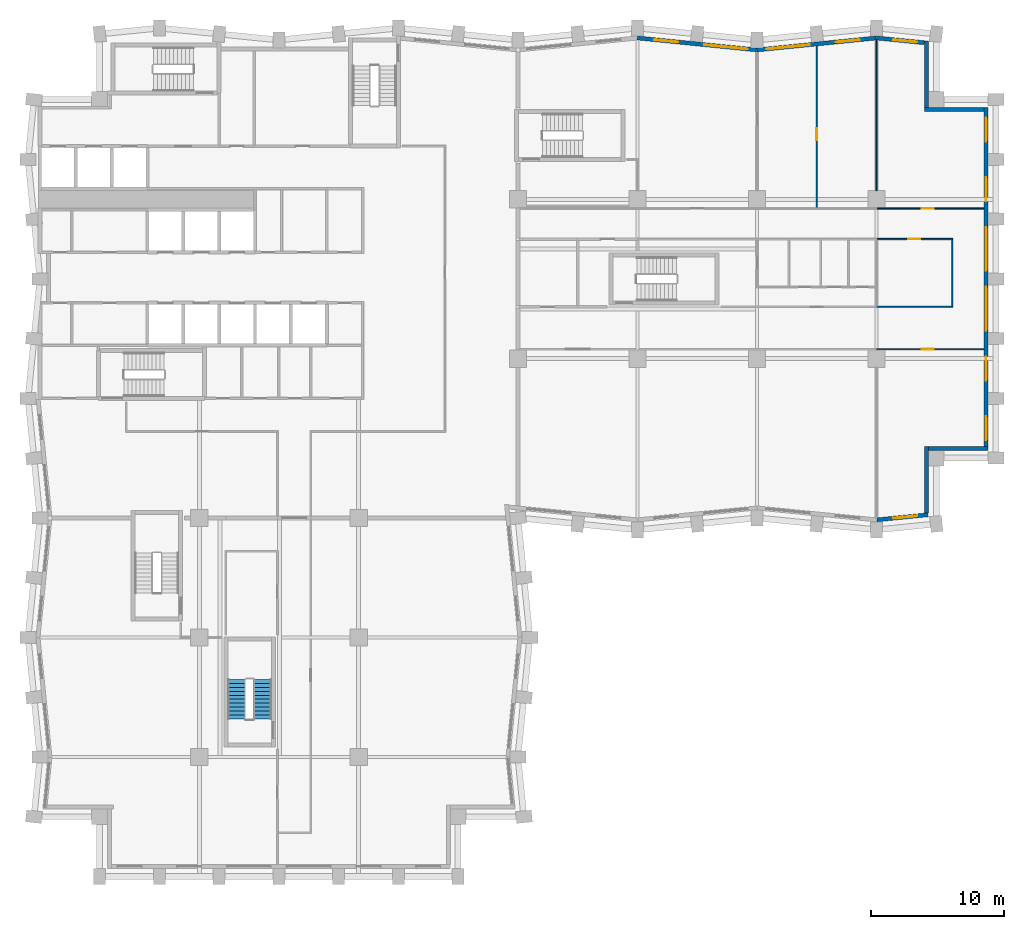
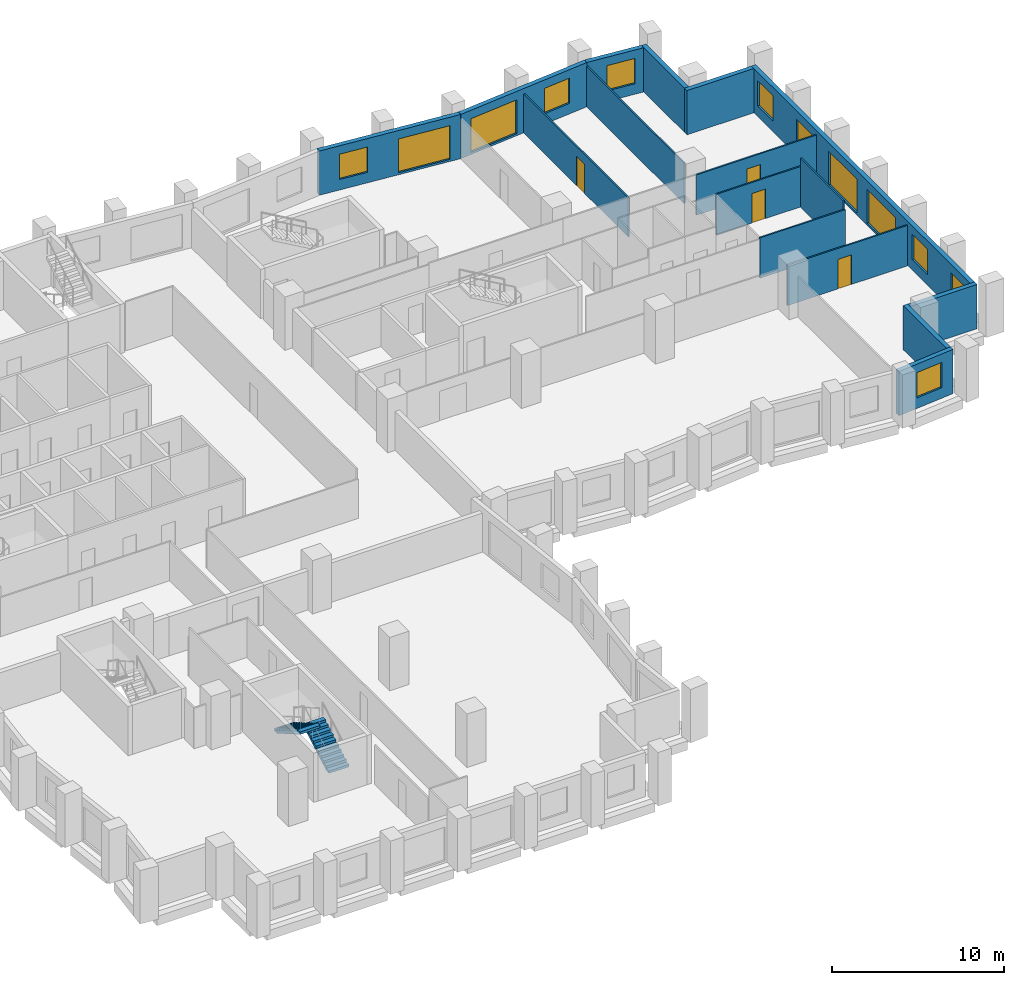
# One storey, part 8 of 11: 16 walls, 12 windows, 4 doors, 2 stair flights, 16 openings, 1 element without a shape of its own.
"""IFC4 building model written with IfcOpenShell, lengths in metres."""

from ifc_helpers import new_model, si_unit, direction, frame, frame_2d, origin, place, context, subcontext, project, spatial, polyline, rectangle, outline, extrude, material, layer, layer_set, type_object, element, fill, aggregate, save


model = new_model("IFC4")

# Units and contexts
model_context = context("Model", 3, precision=1e-05, world=origin(), true_north=direction((0.0, 1.0)))
body_context = subcontext(model_context, "Body", "Model", "MODEL_VIEW")
ifc_project = project(units=[si_unit("LENGTHUNIT", "METRE"), si_unit("AREAUNIT", "SQUARE_METRE"), si_unit("VOLUMEUNIT", "CUBIC_METRE"), si_unit("PLANEANGLEUNIT", "RADIAN"), si_unit("MASSUNIT", "GRAM", prefix="KILO")], contexts=[model_context])

# Site, building, storey
site_placement = place(None, origin())
site = spatial("IfcSite", under=ifc_project, at=site_placement, CompositionType="ELEMENT")
building_placement = place(site_placement, origin())
building = spatial("IfcBuilding", under=site, at=building_placement, Name="Brondeck Convention Tower", CompositionType="ELEMENT")
storey_placement = place(building_placement, frame((0.0, 0.0, 111.300048828125)))
storey = spatial("IfcBuildingStorey", under=building, at=storey_placement, Name="L26", CompositionType="ELEMENT", Elevation=111.300048828125)

# Wall, opening, window
ifc_material_1 = material(Name="Precast concrete C50/60 bronze finish", Category="concrete")
ifc_layer_1 = layer(ifc_material_1, 0.070068359375, Name="Bronze precast facing")
ifc_material_2 = material(Name="Mineral wool")
ifc_layer_2 = layer(ifc_material_2, 0.159912109375, Name="Insulation")
ifc_material_3 = material(Name="Concrete C35/45", Category="concrete")
ifc_layer_3 = layer(ifc_material_3, 0.070068359375, Name="Backing")
ifc_layer_set_1 = layer_set([ifc_layer_1, ifc_layer_2, ifc_layer_3], Name="External infill wall, precast concrete C50/60 bronze facing")
wall_type_1 = type_object("IfcWallType", Name="External infill wall, precast concrete C50/60 bronze facing", PredefinedType="SOLIDWALL", material=ifc_layer_set_1)
wall_1_placement = place(storey_placement, frame((66.885009765625, 27.2421875, 0.0), z_axis=(0.0, 0.0, 1.0), x_axis=(-0.995037814081, -0.099497480111, 0.0)))
wall_1 = element("IfcWall", 1, at=wall_1_placement, inside=storey, type_object=wall_type_1, Name="ENV-EW-L26-P0-A-S-06", PredefinedType="SOLIDWALL", context=body_context, shape_type="SweptSolid", body=[
    extrude(rectangle(XDim=3.87451171875, YDim=0.300048828125, at=frame_2d((1.937255859375, 0.0))), origin(), (0.0, 0.0, 1.0), 3.14990234375),
])
opening_1_placement = place(wall_1_placement, frame((0.818359375, 0.0, 0.75)))
opening_1 = element("IfcOpeningElement", 2, at=opening_1_placement, cuts=wall_1, Name="Opening W10", PredefinedType="OPENING", context=body_context, shape_type="SweptSolid", body=[
    extrude(rectangle(XDim=1.800048828125, YDim=1.800048828125, at=frame_2d((0.89990234375, 0.89990234375))), frame((0.0, 0.159912109375, 0.0), z_axis=(0.0, -1.0, 0.0), x_axis=(1.0, 0.0, 0.0)), (0.0, 0.0, 1.0), 0.320068359375),
])
ifc_material_4 = material(Name="Bronze tinted double glazing", Category="glass")
window_type_1 = type_object("IfcWindowType", Name="Punched window, bronze tinted", PartitioningType="SINGLE_PANEL", PredefinedType="WINDOW", material=ifc_material_4)
window_1_placement = place(opening_1_placement, origin())
window_1 = element("IfcWindow", 3, at=window_1_placement, inside=storey, type_object=window_type_1, Name="ENV-WN-L26-P0-A-S-06", OverallHeight=1.800048828125, OverallWidth=1.800048828125, PartitioningType="SINGLE_PANEL", PredefinedType="WINDOW", context=body_context, shape_type="SweptSolid", body=[
    extrude(rectangle(XDim=1.800048828125, YDim=1.800048828125, at=frame_2d((0.89990234375, 0.89990234375))), frame((0.0, 0.030029296875, 0.0), z_axis=(0.0, -1.0, 0.0), x_axis=(1.0, 0.0, 0.0)), (0.0, 0.0, 1.0), 0.06005859375),
])
fill(opening_1, window_1)

# Walls
wall_2_placement = place(storey_placement, frame((66.75, 32.39990234375, 0.0), z_axis=(0.0, 0.0, 1.0), x_axis=(0.0, -1.0, 0.0)))
element("IfcWall", 4, at=wall_2_placement, inside=storey, type_object=wall_type_1, Name="ENV-EW-L26-P0-NC-SEA72-01", PredefinedType="SOLIDWALL", context=body_context, shape_type="SweptSolid", body=[
    extrude(rectangle(XDim=5.019287109375, YDim=0.300048828125, at=frame_2d((2.509765625, 0.0))), origin(), (0.0, 0.0, 1.0), 3.14990234375),
])
wall_3_placement = place(storey_placement, frame((71.39990234375, 32.25, 0.0), z_axis=(0.0, 0.0, 1.0), x_axis=(-1.0, 0.0, 0.0)))
element("IfcWall", 5, at=wall_3_placement, inside=storey, type_object=wall_type_1, Name="ENV-EW-L26-P0-NC-SEA72-02", PredefinedType="SOLIDWALL", context=body_context, shape_type="SweptSolid", body=[
    extrude(rectangle(XDim=4.5, YDim=0.300048828125, at=frame_2d((2.25, 0.0))), origin(), (0.0, 0.0, 1.0), 3.14990234375),
])

# Wall, openings, windows
wall_4_placement = place(storey_placement, frame((71.25, 57.89990234375, 0.0), z_axis=(0.0, 0.0, 1.0), x_axis=(0.0, -1.0, 0.0)))
wall_4 = element("IfcWall", 6, at=wall_4_placement, inside=storey, type_object=wall_type_1, Name="ENV-EW-L26-P0-A-E72-01", PredefinedType="SOLIDWALL", context=body_context, shape_type="SweptSolid", body=[
    extrude(rectangle(XDim=25.501953125, YDim=0.300048828125, at=frame_2d((12.7509765625, 0.0))), origin(), (0.0, 0.0, 1.0), 3.14990234375),
])
opening_2_placement = place(wall_4_placement, frame((0.75, 0.0, 0.75)))
opening_2 = element("IfcOpeningElement", 7, at=opening_2_placement, cuts=wall_4, Name="Opening W10", PredefinedType="OPENING", context=body_context, shape_type="SweptSolid", body=[
    extrude(rectangle(XDim=1.800048828125, YDim=1.800048828125, at=frame_2d((0.89990234375, 0.89990234375))), frame((0.0, 0.159912109375, 0.0), z_axis=(0.0, -1.0, 0.0), x_axis=(1.0, 0.0, 0.0)), (0.0, 0.0, 1.0), 0.320068359375),
])
opening_3_placement = place(wall_4_placement, frame((5.25, 0.0, 0.75)))
opening_3 = element("IfcOpeningElement", 8, at=opening_3_placement, cuts=wall_4, Name="Opening W10", PredefinedType="OPENING", context=body_context, shape_type="SweptSolid", body=[
    extrude(rectangle(XDim=1.800048828125, YDim=1.800048828125, at=frame_2d((0.89990234375, 0.89990234375))), frame((0.0, 0.159912109375, 0.0), z_axis=(0.0, -1.0, 0.0), x_axis=(1.0, 0.0, 0.0)), (0.0, 0.0, 1.0), 0.320068359375),
])
opening_4_placement = place(wall_4_placement, frame((9.0, 0.0, 0.14990234375)))
opening_4 = element("IfcOpeningElement", 9, at=opening_4_placement, cuts=wall_4, Name="Opening W9", PredefinedType="OPENING", context=body_context, shape_type="SweptSolid", body=[
    extrude(rectangle(XDim=3.300048828125, YDim=2.39990234375, at=frame_2d((1.64990234375, 1.199951171875))), frame((0.0, 0.159912109375, 0.0), z_axis=(0.0, -1.0, 0.0), x_axis=(1.0, 0.0, 0.0)), (0.0, 0.0, 1.0), 0.320068359375),
])
opening_5_placement = place(wall_4_placement, frame((13.5, 0.0, 0.14990234375)))
opening_5 = element("IfcOpeningElement", 10, at=opening_5_placement, cuts=wall_4, Name="Opening W9", PredefinedType="OPENING", context=body_context, shape_type="SweptSolid", body=[
    extrude(rectangle(XDim=3.300048828125, YDim=2.39990234375, at=frame_2d((1.64990234375, 1.199951171875))), frame((0.0, 0.159912109375, 0.0), z_axis=(0.0, -1.0, 0.0), x_axis=(1.0, 0.0, 0.0)), (0.0, 0.0, 1.0), 0.320068359375),
])
opening_6_placement = place(wall_4_placement, frame((18.75, 0.0, 0.75)))
opening_6 = element("IfcOpeningElement", 11, at=opening_6_placement, cuts=wall_4, Name="Opening W10", PredefinedType="OPENING", context=body_context, shape_type="SweptSolid", body=[
    extrude(rectangle(XDim=1.800048828125, YDim=1.800048828125, at=frame_2d((0.89990234375, 0.89990234375))), frame((0.0, 0.159912109375, 0.0), z_axis=(0.0, -1.0, 0.0), x_axis=(1.0, 0.0, 0.0)), (0.0, 0.0, 1.0), 0.320068359375),
])
opening_7_placement = place(wall_4_placement, frame((23.25, 0.0, 0.75)))
opening_7 = element("IfcOpeningElement", 12, at=opening_7_placement, cuts=wall_4, Name="Opening W10", PredefinedType="OPENING", context=body_context, shape_type="SweptSolid", body=[
    extrude(rectangle(XDim=1.800048828125, YDim=1.800048828125, at=frame_2d((0.89990234375, 0.89990234375))), frame((0.0, 0.159912109375, 0.0), z_axis=(0.0, -1.0, 0.0), x_axis=(1.0, 0.0, 0.0)), (0.0, 0.0, 1.0), 0.320068359375),
])
window_type_2 = type_object("IfcWindowType", Name="Glazed flute window, bronze tinted", PartitioningType="SINGLE_PANEL", PredefinedType="WINDOW", material=ifc_material_4)
window_2_placement = place(opening_4_placement, origin())
window_2 = element("IfcWindow", 13, at=window_2_placement, inside=storey, type_object=window_type_2, Name="ENV-WN-L26-P0-A-E72-04", OverallHeight=2.39990234375, OverallWidth=3.300048828125, PartitioningType="SINGLE_PANEL", PredefinedType="WINDOW", context=body_context, shape_type="SweptSolid", body=[
    extrude(rectangle(XDim=3.300048828125, YDim=2.39990234375, at=frame_2d((1.64990234375, 1.199951171875))), frame((0.0, 0.030029296875, 0.0), z_axis=(0.0, -1.0, 0.0), x_axis=(1.0, 0.0, 0.0)), (0.0, 0.0, 1.0), 0.06005859375),
])
fill(opening_4, window_2)
window_3_placement = place(opening_5_placement, origin())
window_3 = element("IfcWindow", 14, at=window_3_placement, inside=storey, type_object=window_type_2, Name="ENV-WN-L26-P0-A-E72-03", OverallHeight=2.39990234375, OverallWidth=3.300048828125, PartitioningType="SINGLE_PANEL", PredefinedType="WINDOW", context=body_context, shape_type="SweptSolid", body=[
    extrude(rectangle(XDim=3.300048828125, YDim=2.39990234375, at=frame_2d((1.64990234375, 1.199951171875))), frame((0.0, 0.030029296875, 0.0), z_axis=(0.0, -1.0, 0.0), x_axis=(1.0, 0.0, 0.0)), (0.0, 0.0, 1.0), 0.06005859375),
])
fill(opening_5, window_3)
window_4_placement = place(opening_2_placement, origin())
window_4 = element("IfcWindow", 15, at=window_4_placement, inside=storey, type_object=window_type_1, Name="ENV-WN-L26-P0-A-E72-06", OverallHeight=1.800048828125, OverallWidth=1.800048828125, PartitioningType="SINGLE_PANEL", PredefinedType="WINDOW", context=body_context, shape_type="SweptSolid", body=[
    extrude(rectangle(XDim=1.800048828125, YDim=1.800048828125, at=frame_2d((0.89990234375, 0.89990234375))), frame((0.0, 0.030029296875, 0.0), z_axis=(0.0, -1.0, 0.0), x_axis=(1.0, 0.0, 0.0)), (0.0, 0.0, 1.0), 0.06005859375),
])
fill(opening_2, window_4)
window_5_placement = place(opening_3_placement, origin())
window_5 = element("IfcWindow", 16, at=window_5_placement, inside=storey, type_object=window_type_1, Name="ENV-WN-L26-P0-A-E72-05", OverallHeight=1.800048828125, OverallWidth=1.800048828125, PartitioningType="SINGLE_PANEL", PredefinedType="WINDOW", context=body_context, shape_type="SweptSolid", body=[
    extrude(rectangle(XDim=1.800048828125, YDim=1.800048828125, at=frame_2d((0.89990234375, 0.89990234375))), frame((0.0, 0.030029296875, 0.0), z_axis=(0.0, -1.0, 0.0), x_axis=(1.0, 0.0, 0.0)), (0.0, 0.0, 1.0), 0.06005859375),
])
fill(opening_3, window_5)
window_6_placement = place(opening_6_placement, origin())
window_6 = element("IfcWindow", 17, at=window_6_placement, inside=storey, type_object=window_type_1, Name="ENV-WN-L26-P0-A-E72-02", OverallHeight=1.800048828125, OverallWidth=1.800048828125, PartitioningType="SINGLE_PANEL", PredefinedType="WINDOW", context=body_context, shape_type="SweptSolid", body=[
    extrude(rectangle(XDim=1.800048828125, YDim=1.800048828125, at=frame_2d((0.89990234375, 0.89990234375))), frame((0.0, 0.030029296875, 0.0), z_axis=(0.0, -1.0, 0.0), x_axis=(1.0, 0.0, 0.0)), (0.0, 0.0, 1.0), 0.06005859375),
])
fill(opening_6, window_6)
window_7_placement = place(opening_7_placement, origin())
window_7 = element("IfcWindow", 18, at=window_7_placement, inside=storey, type_object=window_type_1, Name="ENV-WN-L26-P0-A-E72-01", OverallHeight=1.800048828125, OverallWidth=1.800048828125, PartitioningType="SINGLE_PANEL", PredefinedType="WINDOW", context=body_context, shape_type="SweptSolid", body=[
    extrude(rectangle(XDim=1.800048828125, YDim=1.800048828125, at=frame_2d((0.89990234375, 0.89990234375))), frame((0.0, 0.030029296875, 0.0), z_axis=(0.0, -1.0, 0.0), x_axis=(1.0, 0.0, 0.0)), (0.0, 0.0, 1.0), 0.06005859375),
])
fill(opening_7, window_7)

# Walls
wall_5_placement = place(storey_placement, frame((66.60009765625, 57.75, 0.0), z_axis=(0.0, 0.0, 1.0), x_axis=(1.0, 0.0, 0.0)))
element("IfcWall", 19, at=wall_5_placement, inside=storey, type_object=wall_type_1, Name="ENV-EW-L26-P0-NC-NEA72-01", PredefinedType="SOLIDWALL", context=body_context, shape_type="SweptSolid", body=[
    extrude(rectangle(XDim=4.5, YDim=0.300048828125, at=frame_2d((2.25, 0.0))), origin(), (0.0, 0.0, 1.0), 3.14990234375),
])
wall_6_placement = place(storey_placement, frame((66.75, 62.906982421875, 0.0), z_axis=(0.0, 0.0, 1.0), x_axis=(0.0, -1.0, 0.0)))
element("IfcWall", 20, at=wall_6_placement, inside=storey, type_object=wall_type_1, Name="ENV-EW-L26-P0-NC-NEA72-02", PredefinedType="SOLIDWALL", context=body_context, shape_type="SweptSolid", body=[
    extrude(rectangle(XDim=5.009033203125, YDim=0.300048828125, at=frame_2d((2.50439453125, 0.0))), origin(), (0.0, 0.0, 1.0), 3.14990234375),
])

# Wall, opening, window
wall_7_placement = place(storey_placement, frame((62.985107421875, 63.147705078125, 0.0), z_axis=(0.0, 0.0, 1.0), x_axis=(0.995038521274, -0.099490407478, 0.0)))
wall_7 = element("IfcWall", 21, at=wall_7_placement, inside=storey, type_object=wall_type_1, Name="ENV-EW-L26-P0-A-N-14", PredefinedType="SOLIDWALL", context=body_context, shape_type="SweptSolid", body=[
    extrude(rectangle(XDim=3.6318359375, YDim=0.300048828125, at=frame_2d((1.81591796875, 0.0))), origin(), (0.0, 0.0, 1.0), 3.14990234375),
])
opening_8_placement = place(wall_7_placement, frame((1.30126953125, 0.0, 0.75)))
opening_8 = element("IfcOpeningElement", 22, at=opening_8_placement, cuts=wall_7, Name="Opening W10", PredefinedType="OPENING", context=body_context, shape_type="SweptSolid", body=[
    extrude(rectangle(XDim=1.800048828125, YDim=1.800048828125, at=frame_2d((0.89990234375, 0.89990234375))), frame((0.0, 0.159912109375, 0.0), z_axis=(0.0, -1.0, 0.0), x_axis=(1.0, 0.0, 0.0)), (0.0, 0.0, 1.0), 0.320068359375),
])
window_8_placement = place(opening_8_placement, origin())
window_8 = element("IfcWindow", 23, at=window_8_placement, inside=storey, type_object=window_type_1, Name="ENV-WN-L26-P0-A-N-14", OverallHeight=1.800048828125, OverallWidth=1.800048828125, PartitioningType="SINGLE_PANEL", PredefinedType="WINDOW", context=body_context, shape_type="SweptSolid", body=[
    extrude(rectangle(XDim=1.800048828125, YDim=1.800048828125, at=frame_2d((0.89990234375, 0.89990234375))), frame((0.0, 0.030029296875, 0.0), z_axis=(0.0, -1.0, 0.0), x_axis=(1.0, 0.0, 0.0)), (0.0, 0.0, 1.0), 0.06005859375),
])
fill(opening_8, window_8)

# Wall, openings, windows
wall_8_placement = place(storey_placement, frame((53.985107421875, 62.244873046875, 0.0), z_axis=(0.0, 0.0, 1.0), x_axis=(0.995037993253, 0.099495688264, 0.0)))
wall_8 = element("IfcWall", 24, at=wall_8_placement, inside=storey, type_object=wall_type_1, Name="ENV-EW-L26-P0-A-N-13", PredefinedType="SOLIDWALL", context=body_context, shape_type="SweptSolid", body=[
    extrude(rectangle(XDim=9.030029296875, YDim=0.300048828125, at=frame_2d((4.51513671875, 0.0))), origin(), (0.0, 0.0, 1.0), 3.14990234375),
])
opening_9_placement = place(wall_8_placement, frame((0.701171875, 0.0, 0.14990234375)))
opening_9 = element("IfcOpeningElement", 25, at=opening_9_placement, cuts=wall_8, Name="Opening W9", PredefinedType="OPENING", context=body_context, shape_type="SweptSolid", body=[
    extrude(rectangle(XDim=3.300048828125, YDim=2.39990234375, at=frame_2d((1.64990234375, 1.199951171875))), frame((0.0, 0.159912109375, 0.0), z_axis=(0.0, -1.0, 0.0), x_axis=(1.0, 0.0, 0.0)), (0.0, 0.0, 1.0), 0.320068359375),
])
opening_10_placement = place(wall_8_placement, frame((5.9736328125, 0.0, 0.75)))
opening_10 = element("IfcOpeningElement", 26, at=opening_10_placement, cuts=wall_8, Name="Opening W10", PredefinedType="OPENING", context=body_context, shape_type="SweptSolid", body=[
    extrude(rectangle(XDim=1.800048828125, YDim=1.800048828125, at=frame_2d((0.89990234375, 0.89990234375))), frame((0.0, 0.159912109375, 0.0), z_axis=(0.0, -1.0, 0.0), x_axis=(1.0, 0.0, 0.0)), (0.0, 0.0, 1.0), 0.320068359375),
])
window_9_placement = place(opening_9_placement, origin())
window_9 = element("IfcWindow", 27, at=window_9_placement, inside=storey, type_object=window_type_2, Name="ENV-WN-L26-P0-A-N-12", OverallHeight=2.39990234375, OverallWidth=3.300048828125, PartitioningType="SINGLE_PANEL", PredefinedType="WINDOW", context=body_context, shape_type="SweptSolid", body=[
    extrude(rectangle(XDim=3.300048828125, YDim=2.39990234375, at=frame_2d((1.64990234375, 1.199951171875))), frame((0.0, 0.030029296875, 0.0), z_axis=(0.0, -1.0, 0.0), x_axis=(1.0, 0.0, 0.0)), (0.0, 0.0, 1.0), 0.06005859375),
])
fill(opening_9, window_9)
window_10_placement = place(opening_10_placement, origin())
window_10 = element("IfcWindow", 28, at=window_10_placement, inside=storey, type_object=window_type_1, Name="ENV-WN-L26-P0-A-N-13", OverallHeight=1.800048828125, OverallWidth=1.800048828125, PartitioningType="SINGLE_PANEL", PredefinedType="WINDOW", context=body_context, shape_type="SweptSolid", body=[
    extrude(rectangle(XDim=1.800048828125, YDim=1.800048828125, at=frame_2d((0.89990234375, 0.89990234375))), frame((0.0, 0.030029296875, 0.0), z_axis=(0.0, -1.0, 0.0), x_axis=(1.0, 0.0, 0.0)), (0.0, 0.0, 1.0), 0.06005859375),
])
fill(opening_10, window_10)

wall_9_placement = place(storey_placement, frame((44.985107421875, 63.147705078125, 0.0), z_axis=(0.0, 0.0, 1.0), x_axis=(0.995037993253, -0.099495688264, 0.0)))
wall_9 = element("IfcWall", 29, at=wall_9_placement, inside=storey, type_object=wall_type_1, Name="ENV-EW-L26-P0-A-N-11", PredefinedType="SOLIDWALL", context=body_context, shape_type="SweptSolid", body=[
    extrude(rectangle(XDim=9.030029296875, YDim=0.300048828125, at=frame_2d((4.51513671875, 0.0))), origin(), (0.0, 0.0, 1.0), 3.14990234375),
])
opening_11_placement = place(wall_9_placement, frame((1.30126953125, 0.0, 0.75)))
opening_11 = element("IfcOpeningElement", 30, at=opening_11_placement, cuts=wall_9, Name="Opening W10", PredefinedType="OPENING", context=body_context, shape_type="SweptSolid", body=[
    extrude(rectangle(XDim=1.800048828125, YDim=1.800048828125, at=frame_2d((0.89990234375, 0.89990234375))), frame((0.0, 0.159912109375, 0.0), z_axis=(0.0, -1.0, 0.0), x_axis=(1.0, 0.0, 0.0)), (0.0, 0.0, 1.0), 0.320068359375),
])
opening_12_placement = place(wall_9_placement, frame((5.073486328125, 0.0, 0.14990234375)))
opening_12 = element("IfcOpeningElement", 31, at=opening_12_placement, cuts=wall_9, Name="Opening W9", PredefinedType="OPENING", context=body_context, shape_type="SweptSolid", body=[
    extrude(rectangle(XDim=3.300048828125, YDim=2.39990234375, at=frame_2d((1.64990234375, 1.199951171875))), frame((0.0, 0.159912109375, 0.0), z_axis=(0.0, -1.0, 0.0), x_axis=(1.0, 0.0, 0.0)), (0.0, 0.0, 1.0), 0.320068359375),
])
window_11_placement = place(opening_12_placement, origin())
window_11 = element("IfcWindow", 32, at=window_11_placement, inside=storey, type_object=window_type_2, Name="ENV-WN-L26-P0-A-N-11", OverallHeight=2.39990234375, OverallWidth=3.300048828125, PartitioningType="SINGLE_PANEL", PredefinedType="WINDOW", context=body_context, shape_type="SweptSolid", body=[
    extrude(rectangle(XDim=3.300048828125, YDim=2.39990234375, at=frame_2d((1.64990234375, 1.199951171875))), frame((0.0, 0.030029296875, 0.0), z_axis=(0.0, -1.0, 0.0), x_axis=(1.0, 0.0, 0.0)), (0.0, 0.0, 1.0), 0.06005859375),
])
fill(opening_12, window_11)
window_12_placement = place(opening_11_placement, origin())
window_12 = element("IfcWindow", 33, at=window_12_placement, inside=storey, type_object=window_type_1, Name="ENV-WN-L26-P0-A-N-10", OverallHeight=1.800048828125, OverallWidth=1.800048828125, PartitioningType="SINGLE_PANEL", PredefinedType="WINDOW", context=body_context, shape_type="SweptSolid", body=[
    extrude(rectangle(XDim=1.800048828125, YDim=1.800048828125, at=frame_2d((0.89990234375, 0.89990234375))), frame((0.0, 0.030029296875, 0.0), z_axis=(0.0, -1.0, 0.0), x_axis=(1.0, 0.0, 0.0)), (0.0, 0.0, 1.0), 0.06005859375),
])
fill(opening_11, window_12)

# Wall, opening, door
ifc_material_5 = material(Name="Gypsum board partition on steel studs", Category="steel")
ifc_layer_4 = layer(ifc_material_5, 0.10009765625)
ifc_layer_set_2 = layer_set([ifc_layer_4], Name="Room partition 100")
wall_type_2 = type_object("IfcWallType", Name="Room partition 100", PredefinedType="PARTITIONING", material=ifc_layer_set_2)
wall_10_placement = place(storey_placement, frame((71.080078125, 39.699951171875, 0.0), z_axis=(0.0, 0.0, 1.0), x_axis=(-1.0, 0.0, 0.0)))
wall_10 = element("IfcWall", 34, at=wall_10_placement, inside=storey, type_object=wall_type_2, Name="FLR-L26-W026", PredefinedType="PARTITIONING", context=body_context, shape_type="SweptSolid", body=[
    extrude(rectangle(XDim=8.080078125, YDim=0.10009765625, at=frame_2d((4.0400390625, 0.0))), origin(), (0.0, 0.0, 1.0), 2.8798828125),
])
opening_13_placement = place(wall_10_placement, frame((3.781005859375, 0.0, 0.0)))
opening_13 = element("IfcOpeningElement", 35, at=opening_13_placement, cuts=wall_10, Name="Opening OF-C-011", PredefinedType="OPENING", context=body_context, shape_type="SweptSolid", body=[
    extrude(rectangle(XDim=0.89990234375, YDim=2.10009765625, at=frame_2d((0.449951171875, 1.050048828125))), frame((0.0, 0.06005859375, 0.0), z_axis=(0.0, -1.0, 0.0), x_axis=(1.0, 0.0, 0.0)), (0.0, 0.0, 1.0), 0.1201171875),
])
ifc_material_6 = material(Name="Solid timber door leaf", Category="wood")
door_type = type_object("IfcDoorType", Name="Single door 900", OperationType="NOTDEFINED", PredefinedType="DOOR", material=ifc_material_6)
door_1_placement = place(opening_13_placement, origin())
door_1 = element("IfcDoor", 36, at=door_1_placement, inside=storey, type_object=door_type, Name="Door OF-C-011", OperationType="SINGLE_SWING_RIGHT", OverallHeight=2.10009765625, OverallWidth=0.89990234375, PredefinedType="DOOR", context=body_context, shape_type="SweptSolid", body=[
    extrude(rectangle(XDim=0.89990234375, YDim=2.10009765625, at=frame_2d((0.449951171875, 1.050048828125))), frame((0.0, 0.02490234375, 0.0), z_axis=(0.0, -1.0, 0.0), x_axis=(1.0, 0.0, 0.0)), (0.0, 0.0, 1.0), 0.050048828125),
])
fill(opening_13, door_1)

# Walls
wall_11_placement = place(storey_placement, frame((63.0, 42.89990234375, 0.0), z_axis=(0.0, 0.0, 1.0), x_axis=(1.0, 0.0, 0.0)))
element("IfcWall", 37, at=wall_11_placement, inside=storey, type_object=wall_type_2, Name="FLR-L26-W031", PredefinedType="PARTITIONING", context=body_context, shape_type="SweptSolid", body=[
    extrude(rectangle(XDim=5.75, YDim=0.10009765625, at=frame_2d((2.875, 0.0))), origin(), (0.0, 0.0, 1.0), 2.8798828125),
])
wall_12_placement = place(storey_placement, frame((68.699951171875, 42.949951171875, 0.0), z_axis=(0.0, 0.0, 1.0), x_axis=(0.0, 1.0, 0.0)))
element("IfcWall", 38, at=wall_12_placement, inside=storey, type_object=wall_type_2, Name="FLR-L26-W032", PredefinedType="PARTITIONING", context=body_context, shape_type="SweptSolid", body=[
    extrude(rectangle(XDim=5.0, YDim=0.10009765625, at=frame_2d((2.5, 0.0))), origin(), (0.0, 0.0, 1.0), 3.47998046875),
])

# Wall, opening, door
wall_13_placement = place(storey_placement, frame((68.75, 48.0, 0.0), z_axis=(0.0, 0.0, 1.0), x_axis=(-1.0, 0.0, 0.0)))
wall_13 = element("IfcWall", 39, at=wall_13_placement, inside=storey, type_object=wall_type_2, Name="FLR-L26-W053", PredefinedType="PARTITIONING", context=body_context, shape_type="SweptSolid", body=[
    extrude(rectangle(XDim=5.75, YDim=0.10009765625, at=frame_2d((2.875, 0.0))), origin(), (0.0, 0.0, 1.0), 2.8798828125),
])
opening_14_placement = place(wall_13_placement, frame((2.449951171875, 0.0, 0.0)))
opening_14 = element("IfcOpeningElement", 40, at=opening_14_placement, cuts=wall_13, Name="Opening OF-C-009", PredefinedType="OPENING", context=body_context, shape_type="SweptSolid", body=[
    extrude(rectangle(XDim=0.89990234375, YDim=2.10009765625, at=frame_2d((0.449951171875, 1.050048828125))), frame((0.0, 0.06005859375, 0.0), z_axis=(0.0, -1.0, 0.0), x_axis=(1.0, 0.0, 0.0)), (0.0, 0.0, 1.0), 0.1201171875),
])
door_2_placement = place(opening_14_placement, origin())
door_2 = element("IfcDoor", 41, at=door_2_placement, inside=storey, type_object=door_type, Name="Door OF-C-009", OperationType="SINGLE_SWING_RIGHT", OverallHeight=2.10009765625, OverallWidth=0.89990234375, PredefinedType="DOOR", context=body_context, shape_type="SweptSolid", body=[
    extrude(rectangle(XDim=0.89990234375, YDim=2.10009765625, at=frame_2d((0.449951171875, 1.050048828125))), frame((0.0, 0.02490234375, 0.0), z_axis=(0.0, -1.0, 0.0), x_axis=(1.0, 0.0, 0.0)), (0.0, 0.0, 1.0), 0.050048828125),
])
fill(opening_14, door_2)

wall_14_placement = place(storey_placement, frame((63.0, 50.300048828125, 0.0), z_axis=(0.0, 0.0, 1.0), x_axis=(1.0, 0.0, 0.0)))
wall_14 = element("IfcWall", 42, at=wall_14_placement, inside=storey, type_object=wall_type_2, Name="FLR-L26-W059", PredefinedType="PARTITIONING", context=body_context, shape_type="SweptSolid", body=[
    extrude(rectangle(XDim=8.080078125, YDim=0.10009765625, at=frame_2d((4.0400390625, 0.0))), origin(), (0.0, 0.0, 1.0), 2.8798828125),
])
opening_15_placement = place(wall_14_placement, frame((3.39892578125, 0.0, 0.0)))
opening_15 = element("IfcOpeningElement", 43, at=opening_15_placement, cuts=wall_14, Name="Opening OF-C-015", PredefinedType="OPENING", context=body_context, shape_type="SweptSolid", body=[
    extrude(rectangle(XDim=0.89990234375, YDim=2.10009765625, at=frame_2d((0.449951171875, 1.050048828125))), frame((0.0, 0.06005859375, 0.0), z_axis=(0.0, -1.0, 0.0), x_axis=(1.0, 0.0, 0.0)), (0.0, 0.0, 1.0), 0.1201171875),
])
door_3_placement = place(opening_15_placement, origin())
door_3 = element("IfcDoor", 44, at=door_3_placement, inside=storey, type_object=door_type, Name="Door OF-C-015", OperationType="SINGLE_SWING_LEFT", OverallHeight=2.10009765625, OverallWidth=0.89990234375, PredefinedType="DOOR", context=body_context, shape_type="SweptSolid", body=[
    extrude(rectangle(XDim=0.89990234375, YDim=2.10009765625, at=frame_2d((0.449951171875, 1.050048828125))), frame((0.0, 0.02490234375, 0.0), z_axis=(0.0, -1.0, 0.0), x_axis=(1.0, 0.0, 0.0)), (0.0, 0.0, 1.0), 0.050048828125),
])
fill(opening_15, door_3)

wall_15_placement = place(storey_placement, frame((58.5, 62.525390625, 0.0), z_axis=(0.0, 0.0, 1.0), x_axis=(0.0, -1.0, 0.0)))
wall_15 = element("IfcWall", 45, at=wall_15_placement, inside=storey, type_object=wall_type_2, Name="FLR-L26-W068", PredefinedType="PARTITIONING", context=body_context, shape_type="SweptSolid", body=[
    extrude(rectangle(XDim=12.17529296875, YDim=0.10009765625, at=frame_2d((6.087646484375, 0.0))), origin(), (0.0, 0.0, 1.0), 2.780029296875),
])
opening_16_placement = place(wall_15_placement, frame((6.180419921875, 0.0, 0.0)))
opening_16 = element("IfcOpeningElement", 46, at=opening_16_placement, cuts=wall_15, Name="Opening OF-C-014", PredefinedType="OPENING", context=body_context, shape_type="SweptSolid", body=[
    extrude(rectangle(XDim=0.89990234375, YDim=2.10009765625, at=frame_2d((0.449951171875, 1.050048828125))), frame((0.0, 0.06005859375, 0.0), z_axis=(0.0, -1.0, 0.0), x_axis=(1.0, 0.0, 0.0)), (0.0, 0.0, 1.0), 0.1201171875),
])
door_4_placement = place(opening_16_placement, origin())
door_4 = element("IfcDoor", 47, at=door_4_placement, inside=storey, type_object=door_type, Name="Door OF-C-014", OperationType="SINGLE_SWING_LEFT", OverallHeight=2.10009765625, OverallWidth=0.89990234375, PredefinedType="DOOR", context=body_context, shape_type="SweptSolid", body=[
    extrude(rectangle(XDim=0.89990234375, YDim=2.10009765625, at=frame_2d((0.449951171875, 1.050048828125))), frame((0.0, 0.02490234375, 0.0), z_axis=(0.0, -1.0, 0.0), x_axis=(1.0, 0.0, 0.0)), (0.0, 0.0, 1.0), 0.050048828125),
])
fill(opening_16, door_4)

# Wall
wall_16_placement = place(storey_placement, frame((63.0, 62.9755859375, 0.0), z_axis=(0.0, 0.0, 1.0), x_axis=(0.0, -1.0, 0.0)))
element("IfcWall", 48, at=wall_16_placement, inside=storey, type_object=wall_type_2, Name="FLR-L26-W069", PredefinedType="PARTITIONING", context=body_context, shape_type="SweptSolid", body=[
    extrude(rectangle(XDim=11.320556640625, YDim=0.10009765625, at=frame_2d((5.66015625, 0.0))), origin(), (0.0, 0.0, 1.0), 2.8798828125),
])

# Stair, stair flights
ifc_material_7 = material(Name="Precast concrete C50/60", Category="concrete")
stair_type = type_object("IfcStairType", Name="Core stair 22 risers 172.73 mm riser 300 mm going 1350 wide", PredefinedType="HALF_TURN_STAIR", material=ifc_material_7)
stair_placement = place(storey_placement, origin())
stair = element("IfcStair", 49, at=stair_placement, inside=storey, type_object=stair_type, Name="ST-BF L26 stair", PredefinedType="HALF_TURN_STAIR")
stair_flight_type = type_object("IfcStairFlightType", Name="Core stair flight 22 risers 172.73 mm riser 300 mm going 1350 wide", PredefinedType="STRAIGHT", material=ifc_material_7)
stair_flight_1_placement = place(storey_placement, frame((16.77490234375, 11.85009765625, 0.0), z_axis=(0.0, 0.0, 1.0), x_axis=(0.0, 1.0, 0.0)))
stair_flight_1 = element("IfcStairFlight", 50, at=stair_flight_1_placement, type_object=stair_flight_type, Name="ST-BF flight 1", NumberOfRisers=11, NumberOfTreads=10, PredefinedType="STRAIGHT", RiserHeight=0.172727273, TreadLength=0.3, context=body_context, shape_type="SweptSolid", body=[
    extrude(outline(polyline([(0.0, 0.0), (0.0, 0.172607421875), (0.300048828125, 0.172607421875), (0.300048828125, 0.345458984375), (0.60009765625, 0.345458984375), (0.60009765625, 0.51806640625), (0.89990234375, 0.51806640625), (0.89990234375, 0.69091796875), (1.199951171875, 0.69091796875), (1.199951171875, 0.863525390625), (1.5, 0.863525390625), (1.5, 1.036376953125), (1.800048828125, 1.036376953125), (1.800048828125, 1.208984375), (2.10009765625, 1.208984375), (2.10009765625, 1.3818359375), (2.39990234375, 1.3818359375), (2.39990234375, 1.554443359375), (2.699951171875, 1.554443359375), (2.699951171875, 1.727294921875), (3.0, 1.727294921875), (3.0, 1.89990234375), (3.0, 1.55419921875), (0.300537109375, 0.0), (0.0, 0.0)])), frame((0.0, 0.675048828125, 0.0), z_axis=(0.0, -1.0, 0.0), x_axis=(1.0, 0.0, 0.0)), (0.0, 0.0, 1.0), 1.35009765625),
])
stair_flight_2_placement = place(storey_placement, frame((14.824951171875, 14.85009765625, 1.89990234375), z_axis=(0.0, 0.0, 1.0), x_axis=(0.0, -1.0, 0.0)))
stair_flight_2 = element("IfcStairFlight", 51, at=stair_flight_2_placement, type_object=stair_flight_type, Name="ST-BF flight 2", NumberOfRisers=11, NumberOfTreads=10, PredefinedType="STRAIGHT", RiserHeight=0.172727273, TreadLength=0.3, context=body_context, shape_type="SweptSolid", body=[
    extrude(outline(polyline([(0.0, 0.0), (0.0, 0.172607421875), (0.300048828125, 0.172607421875), (0.300048828125, 0.345458984375), (0.60009765625, 0.345458984375), (0.60009765625, 0.51806640625), (0.89990234375, 0.51806640625), (0.89990234375, 0.69091796875), (1.199951171875, 0.69091796875), (1.199951171875, 0.863525390625), (1.5, 0.863525390625), (1.5, 1.036376953125), (1.800048828125, 1.036376953125), (1.800048828125, 1.208984375), (2.10009765625, 1.208984375), (2.10009765625, 1.3818359375), (2.39990234375, 1.3818359375), (2.39990234375, 1.554443359375), (2.699951171875, 1.554443359375), (2.699951171875, 1.727294921875), (3.0, 1.727294921875), (3.0, 1.89990234375), (3.0, 1.55419921875), (0.300537109375, 0.0), (0.0, 0.0)])), frame((0.0, 0.675048828125, 0.0), z_axis=(0.0, -1.0, 0.0), x_axis=(1.0, 0.0, 0.0)), (0.0, 0.0, 1.0), 1.35009765625),
])
aggregate(stair, [stair_flight_1, stair_flight_2])

save(model, "model.ifc")
